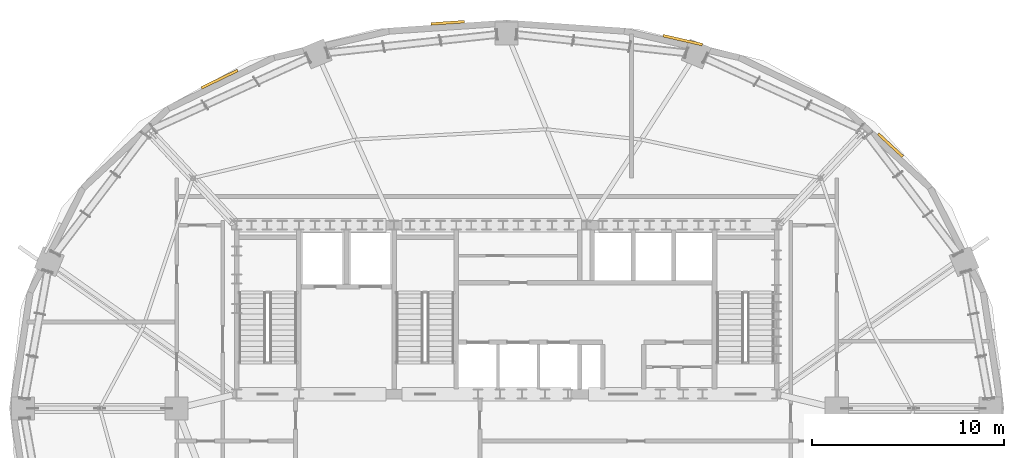
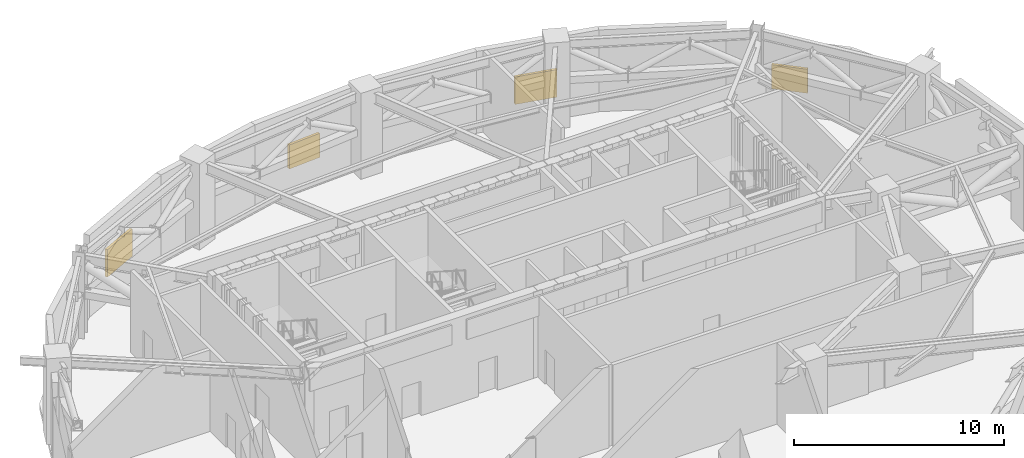
# One storey, part 17 of 17: 4 shading devices.
"""IFC4 building model written with IfcOpenShell, lengths in metres."""

from ifc_helpers import new_model, si_unit, direction, frame, origin, origin_2d, place, context, subcontext, project, spatial, rectangle, extrude, material, type_object, element, save


model = new_model("IFC4")

# Units and contexts
model_context = context("Model", 3, precision=1e-05, world=origin(), true_north=direction((0.0, 1.0)))
body_context = subcontext(model_context, "Body", "Model", "MODEL_VIEW")
ifc_project = project(units=[si_unit("LENGTHUNIT", "METRE"), si_unit("AREAUNIT", "SQUARE_METRE"), si_unit("VOLUMEUNIT", "CUBIC_METRE"), si_unit("PLANEANGLEUNIT", "RADIAN"), si_unit("MASSUNIT", "GRAM", prefix="KILO")], contexts=[model_context])

# Site, building, storey
site_placement = place(None, origin())
site = spatial("IfcSite", under=ifc_project, at=site_placement, CompositionType="ELEMENT")
building_placement = place(site_placement, origin())
building = spatial("IfcBuilding", under=site, at=building_placement, Name="Haldorwick Loom Tower", CompositionType="ELEMENT")
storey_placement = place(building_placement, frame((0.0, 0.0, 149.449951171875)))
storey = spatial("IfcBuildingStorey", under=building, at=storey_placement, Name="L40", CompositionType="ELEMENT", Elevation=149.449951171875)

# Shading devices
ifc_material = material(Name="Extruded Anodized Aluminium Weather Louvre", Category="aluminium")
shading_device_type_1 = type_object("IfcShadingDeviceType", Name="ARC-SHD-LOUVRE", PredefinedType="JALOUSIE", material=ifc_material)
for number, where, z_axis, x_axis, name in (
    (1, (45.170654296875, 45.19580078125, 1.050048828125), (0.0, 0.0, 1.0), (-0.974761194191, 0.223250116011, 0.0), "L40 Mechanical Intake Weather Louvre 5"),
    (2, (21.03564453125, 43.1611328125, 1.050048828125), (0.0, 0.0, 1.0), (-0.900318771402, -0.435231099372, 0.0), "L40 Mechanical Intake Weather Louvre 9"),
):
    element("IfcShadingDevice", number, at=place(storey_placement, frame(where, z_axis=z_axis, x_axis=x_axis)), inside=storey, type_object=shading_device_type_1, Name=name, PredefinedType="JALOUSIE", context=body_context, shape_type="SweptSolid", body=[
        extrude(rectangle(XDim=2.10009765625, YDim=0.139892578125, at=origin_2d()), origin(), (0.0, 0.0, 1.0), 1.60009765625),
    ])
shading_device_type_2 = type_object("IfcShadingDeviceType", Name="ARC-SHD-LOUVRE2", PredefinedType="JALOUSIE", material=ifc_material)
for number, where, z_axis, x_axis, name in (
    (3, (56.002197265625, 39.719482421875, 1.150146484375), (0.0, 0.0, 1.0), (-0.732542898787, 0.680720868959, 0.0), "L40 Mechanical Intake Weather Louvre 3"),
    (4, (32.920166015625, 46.098876953125, 1.150146484375), (0.0, 0.0, 1.0), (-0.997684278836, -0.068015290665, 0.0), "L40 Mechanical Intake Weather Louvre 7"),
):
    element("IfcShadingDevice", number, at=place(storey_placement, frame(where, z_axis=z_axis, x_axis=x_axis)), inside=storey, type_object=shading_device_type_2, Name=name, PredefinedType="JALOUSIE", context=body_context, shape_type="SweptSolid", body=[
        extrude(rectangle(XDim=1.75, YDim=0.139892578125, at=origin_2d()), origin(), (0.0, 0.0, 1.0), 1.39990234375),
    ])

save(model, "model.ifc")
